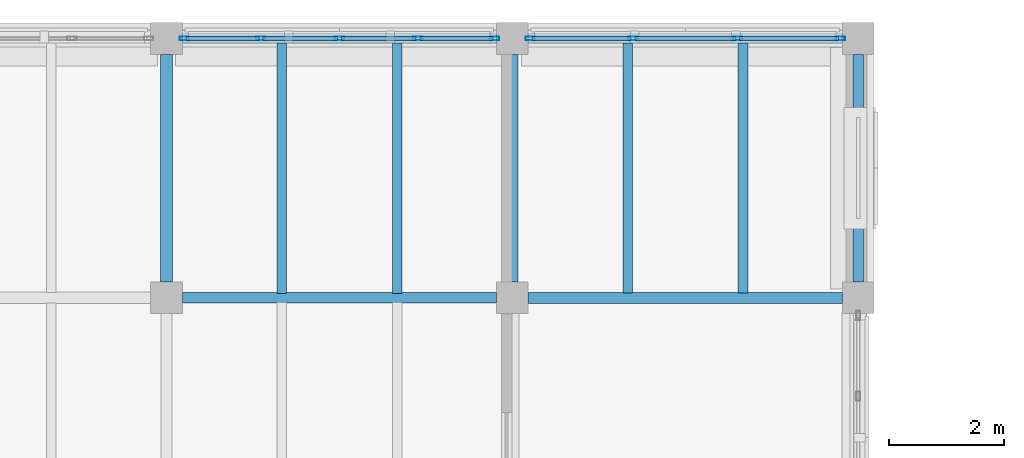
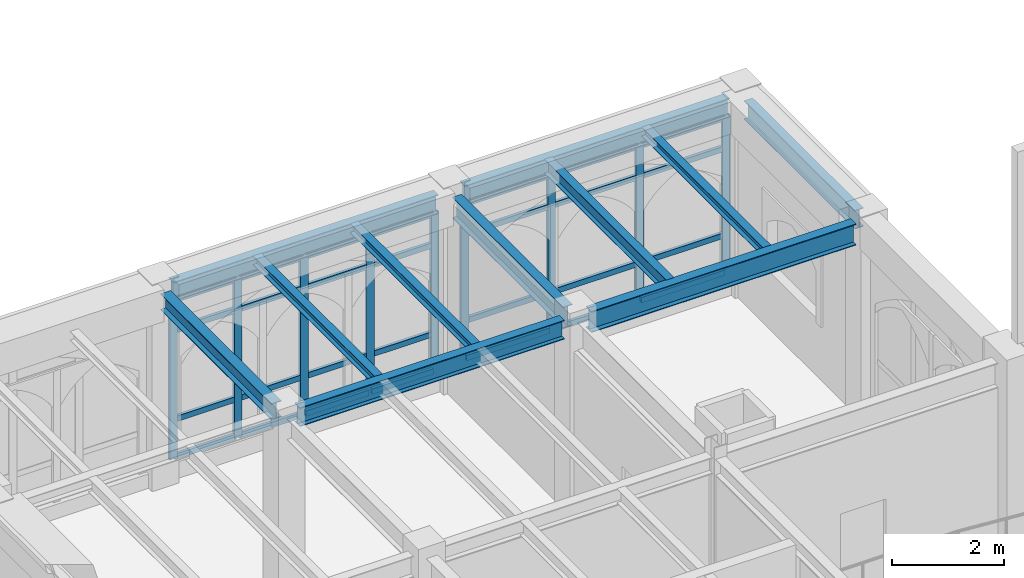
# One storey, part 31 of 108: 37 members, 11 beams, 2 elements without a shape of their own.
"""IFC4 building model written with IfcOpenShell, lengths in metres."""

from ifc_helpers import new_model, si_unit, direction, frame, origin, origin_2d, place, context, subcontext, project, spatial, hollow_rectangle, i_section, extrude, material, layer, layer_set, material_profile, profile_set, type_object, element, aggregate, save


model = new_model("IFC4")

# Units and contexts
model_context = context("Model", 3, precision=1e-05, world=origin(), true_north=direction((0.0, 1.0)))
body_context = subcontext(model_context, "Body", "Model", "MODEL_VIEW")
ifc_project = project(units=[si_unit("LENGTHUNIT", "METRE"), si_unit("AREAUNIT", "SQUARE_METRE"), si_unit("VOLUMEUNIT", "CUBIC_METRE"), si_unit("PLANEANGLEUNIT", "RADIAN"), si_unit("MASSUNIT", "GRAM", prefix="KILO")], contexts=[model_context])

# Site, building, storey
site_placement = place(None, origin())
site = spatial("IfcSite", under=ifc_project, at=site_placement, CompositionType="ELEMENT")
building_placement = place(site_placement, origin())
building = spatial("IfcBuilding", under=site, at=building_placement, Name="Cumevento Cable Car Station", CompositionType="ELEMENT")
storey_placement = place(building_placement, frame((0.0, 0.0, 13.5)))
storey = spatial("IfcBuildingStorey", under=building, at=storey_placement, Name="L04", CompositionType="ELEMENT", Elevation=13.5)

# Curtain wall, members
ifc_material_1 = material(Name="Anodised Bronze Aluminium AW-6063-T6", Category="aluminium")
ifc_layer_1 = layer(ifc_material_1, 0.23193359375)
ifc_layer_set_1 = layer_set([ifc_layer_1], Name="Anodised Bronze Aluminium AW-6063-T6")
curtain_wall_type_1 = type_object("IfcCurtainWallType", Name="Lancet Curtain Wall CW-13 1530", PredefinedType="NOTDEFINED", material=ifc_layer_set_1)
curtain_wall_1_placement = place(storey_placement, origin())
curtain_wall_1 = element("IfcCurtainWall", 1, at=curtain_wall_1_placement, inside=storey, type_object=curtain_wall_type_1, Name="Lancet Curtain Wall CW-13 L04 #172", PredefinedType="NOTDEFINED")
ifc_material_2 = material(Name="Anodised Bronze Aluminium AW-6063-T6", Category="aluminium")
ifc_material_profile_1 = material_profile(ifc_material_2, hollow_rectangle(XDim=0.06494140625, YDim=0.159912109375, WallThickness=0.00390625, at=origin_2d()), Name="ALUM65x160x4")
ifc_profile_set_1 = profile_set([ifc_material_profile_1], Name="Anodised Bronze Aluminium AW-6063-T6")
member_type_1 = type_object("IfcMemberType", Name="Curtain Mullion CWM-01 ALUM65x160x4", PredefinedType="MULLION", material=ifc_profile_set_1)
member_1_placement = place(storey_placement, frame((58.3076171875, 66.0, 0.360107421875), z_axis=(0.0, 0.0, 1.0), x_axis=(0.0, 1.0, 0.0)))
member_1 = element("IfcMember", 2, at=member_1_placement, type_object=member_type_1, Name="CW-13 mullion 1", PredefinedType="MULLION", context=body_context, shape_type="SweptSolid", body=[
    extrude(hollow_rectangle(XDim=0.06494140625, YDim=0.159912109375, WallThickness=0.00390625, at=origin_2d()), origin(), (0.0, 0.0, 1.0), 3.48291015625),
])
member_2_placement = place(storey_placement, frame((59.637451171875, 66.0, 0.360107421875), z_axis=(0.0, 0.0, 1.0), x_axis=(0.0, 1.0, 0.0)))
member_2 = element("IfcMember", 3, at=member_2_placement, type_object=member_type_1, Name="CW-13 mullion 2", PredefinedType="MULLION", context=body_context, shape_type="SweptSolid", body=[
    extrude(hollow_rectangle(XDim=0.06494140625, YDim=0.159912109375, WallThickness=0.00390625, at=origin_2d()), origin(), (0.0, 0.0, 1.0), 3.48291015625),
])
member_3_placement = place(storey_placement, frame((61.0, 66.0, 0.360107421875), z_axis=(0.0, 0.0, 1.0), x_axis=(0.0, 1.0, 0.0)))
member_3 = element("IfcMember", 4, at=member_3_placement, type_object=member_type_1, Name="CW-13 mullion 3", PredefinedType="MULLION", context=body_context, shape_type="SweptSolid", body=[
    extrude(hollow_rectangle(XDim=0.06494140625, YDim=0.159912109375, WallThickness=0.00390625, at=origin_2d()), origin(), (0.0, 0.0, 1.0), 3.48291015625),
])
member_4_placement = place(storey_placement, frame((62.362548828125, 66.0, 0.360107421875), z_axis=(0.0, 0.0, 1.0), x_axis=(0.0, 1.0, 0.0)))
member_4 = element("IfcMember", 5, at=member_4_placement, type_object=member_type_1, Name="CW-13 mullion 4", PredefinedType="MULLION", context=body_context, shape_type="SweptSolid", body=[
    extrude(hollow_rectangle(XDim=0.06494140625, YDim=0.159912109375, WallThickness=0.00390625, at=origin_2d()), origin(), (0.0, 0.0, 1.0), 3.48291015625),
])
member_5_placement = place(storey_placement, frame((63.6923828125, 66.0, 0.360107421875), z_axis=(0.0, 0.0, 1.0), x_axis=(0.0, 1.0, 0.0)))
member_5 = element("IfcMember", 6, at=member_5_placement, type_object=member_type_1, Name="CW-13 mullion 5", PredefinedType="MULLION", context=body_context, shape_type="SweptSolid", body=[
    extrude(hollow_rectangle(XDim=0.06494140625, YDim=0.159912109375, WallThickness=0.00390625, at=origin_2d()), origin(), (0.0, 0.0, 1.0), 3.48291015625),
])

ifc_material_3 = material(Name="Anodised Bronze Aluminium AW-6063-T6", Category="aluminium")
ifc_layer_2 = layer(ifc_material_3, 0.238037109375)
ifc_layer_set_2 = layer_set([ifc_layer_2], Name="Anodised Bronze Aluminium AW-6063-T6")
curtain_wall_type_2 = type_object("IfcCurtainWallType", Name="Lancet Curtain Wall CW-14 1570", PredefinedType="NOTDEFINED", material=ifc_layer_set_2)
curtain_wall_2_placement = place(storey_placement, origin())
curtain_wall_2 = element("IfcCurtainWall", 7, at=curtain_wall_2_placement, inside=storey, type_object=curtain_wall_type_2, Name="Lancet Curtain Wall CW-14 L04 #173", PredefinedType="NOTDEFINED")
member_6_placement = place(storey_placement, frame((64.3076171875, 66.0, 0.409912109375), z_axis=(0.0, 0.0, 1.0), x_axis=(0.0, 1.0, 0.0)))
member_6 = element("IfcMember", 8, at=member_6_placement, type_object=member_type_1, Name="CW-14 mullion 1", PredefinedType="MULLION", context=body_context, shape_type="SweptSolid", body=[
    extrude(hollow_rectangle(XDim=0.06494140625, YDim=0.159912109375, WallThickness=0.00390625, at=origin_2d()), origin(), (0.0, 0.0, 1.0), 3.43310546875),
])
member_7_placement = place(storey_placement, frame((66.091552734375, 66.0, 0.409912109375), z_axis=(0.0, 0.0, 1.0), x_axis=(0.0, 1.0, 0.0)))
member_7 = element("IfcMember", 9, at=member_7_placement, type_object=member_type_1, Name="CW-14 mullion 2", PredefinedType="MULLION", context=body_context, shape_type="SweptSolid", body=[
    extrude(hollow_rectangle(XDim=0.06494140625, YDim=0.159912109375, WallThickness=0.00390625, at=origin_2d()), origin(), (0.0, 0.0, 1.0), 3.43310546875),
])
member_8_placement = place(storey_placement, frame((67.908447265625, 66.0, 0.409912109375), z_axis=(0.0, 0.0, 1.0), x_axis=(0.0, 1.0, 0.0)))
member_8 = element("IfcMember", 10, at=member_8_placement, type_object=member_type_1, Name="CW-14 mullion 3", PredefinedType="MULLION", context=body_context, shape_type="SweptSolid", body=[
    extrude(hollow_rectangle(XDim=0.06494140625, YDim=0.159912109375, WallThickness=0.00390625, at=origin_2d()), origin(), (0.0, 0.0, 1.0), 3.43310546875),
])
member_9_placement = place(storey_placement, frame((69.6923828125, 66.0, 0.409912109375), z_axis=(0.0, 0.0, 1.0), x_axis=(0.0, 1.0, 0.0)))
member_9 = element("IfcMember", 11, at=member_9_placement, type_object=member_type_1, Name="CW-14 mullion 4", PredefinedType="MULLION", context=body_context, shape_type="SweptSolid", body=[
    extrude(hollow_rectangle(XDim=0.06494140625, YDim=0.159912109375, WallThickness=0.00390625, at=origin_2d()), origin(), (0.0, 0.0, 1.0), 3.43310546875),
])

# Member
ifc_material_4 = material(Name="Anodised Bronze Aluminium AW-6063-T6", Category="aluminium")
ifc_material_profile_2 = material_profile(ifc_material_4, hollow_rectangle(XDim=0.06494140625, YDim=0.1201171875, WallThickness=0.00390625, at=origin_2d()), Name="ALUT65x120x4")
ifc_profile_set_2 = profile_set([ifc_material_profile_2], Name="Anodised Bronze Aluminium AW-6063-T6")
member_type_2 = type_object("IfcMemberType", Name="Curtain Transom CWT-01 ALUT65x120x4", PredefinedType="USERDEFINED", material=ifc_profile_set_2)
member_10_placement = place(storey_placement, frame((58.340087890625, 66.0, 0.392578125), z_axis=(1.0, 0.0, 0.0), x_axis=(0.0, 1.0, 0.0)))
member_10 = element("IfcMember", 12, at=member_10_placement, type_object=member_type_2, Name="CW-13 transom 1.1", ObjectType="TRANSOM", PredefinedType="USERDEFINED", context=body_context, shape_type="SweptSolid", body=[
    extrude(hollow_rectangle(XDim=0.06494140625, YDim=0.1201171875, WallThickness=0.00390625, at=origin_2d()), origin(), (0.0, 0.0, 1.0), 1.264892578125),
])

member_11_placement = place(storey_placement, frame((58.340087890625, 66.0, 1.2099609375), z_axis=(1.0, 0.0, 0.0), x_axis=(0.0, 1.0, 0.0)))
member_11 = element("IfcMember", 13, at=member_11_placement, type_object=member_type_2, Name="CW-13 transom 1.2", ObjectType="TRANSOM", PredefinedType="USERDEFINED", context=body_context, shape_type="SweptSolid", body=[
    extrude(hollow_rectangle(XDim=0.06494140625, YDim=0.1201171875, WallThickness=0.00390625, at=origin_2d()), origin(), (0.0, 0.0, 1.0), 1.264892578125),
])

member_12_placement = place(storey_placement, frame((58.340087890625, 66.0, 3.14306640625), z_axis=(1.0, 0.0, 0.0), x_axis=(0.0, 1.0, 0.0)))
member_12 = element("IfcMember", 14, at=member_12_placement, type_object=member_type_2, Name="CW-13 transom 1.3", ObjectType="TRANSOM", PredefinedType="USERDEFINED", context=body_context, shape_type="SweptSolid", body=[
    extrude(hollow_rectangle(XDim=0.06494140625, YDim=0.1201171875, WallThickness=0.00390625, at=origin_2d()), origin(), (0.0, 0.0, 1.0), 1.264892578125),
])

member_13_placement = place(storey_placement, frame((58.340087890625, 66.0, 3.810546875), z_axis=(1.0, 0.0, 0.0), x_axis=(0.0, 1.0, 0.0)))
member_13 = element("IfcMember", 15, at=member_13_placement, type_object=member_type_2, Name="CW-13 transom 1.4", ObjectType="TRANSOM", PredefinedType="USERDEFINED", context=body_context, shape_type="SweptSolid", body=[
    extrude(hollow_rectangle(XDim=0.06494140625, YDim=0.1201171875, WallThickness=0.00390625, at=origin_2d()), origin(), (0.0, 0.0, 1.0), 1.264892578125),
])

member_14_placement = place(storey_placement, frame((59.669921875, 66.0, 0.392578125), z_axis=(1.0, 0.0, 0.0), x_axis=(0.0, 1.0, 0.0)))
member_14 = element("IfcMember", 16, at=member_14_placement, type_object=member_type_2, Name="CW-13 transom 2.1", ObjectType="TRANSOM", PredefinedType="USERDEFINED", context=body_context, shape_type="SweptSolid", body=[
    extrude(hollow_rectangle(XDim=0.06494140625, YDim=0.1201171875, WallThickness=0.00390625, at=origin_2d()), origin(), (0.0, 0.0, 1.0), 1.297607421875),
])

member_15_placement = place(storey_placement, frame((59.669921875, 66.0, 1.2099609375), z_axis=(1.0, 0.0, 0.0), x_axis=(0.0, 1.0, 0.0)))
member_15 = element("IfcMember", 17, at=member_15_placement, type_object=member_type_2, Name="CW-13 transom 2.2", ObjectType="TRANSOM", PredefinedType="USERDEFINED", context=body_context, shape_type="SweptSolid", body=[
    extrude(hollow_rectangle(XDim=0.06494140625, YDim=0.1201171875, WallThickness=0.00390625, at=origin_2d()), origin(), (0.0, 0.0, 1.0), 1.297607421875),
])

member_16_placement = place(storey_placement, frame((59.669921875, 66.0, 3.14306640625), z_axis=(1.0, 0.0, 0.0), x_axis=(0.0, 1.0, 0.0)))
member_16 = element("IfcMember", 18, at=member_16_placement, type_object=member_type_2, Name="CW-13 transom 2.3", ObjectType="TRANSOM", PredefinedType="USERDEFINED", context=body_context, shape_type="SweptSolid", body=[
    extrude(hollow_rectangle(XDim=0.06494140625, YDim=0.1201171875, WallThickness=0.00390625, at=origin_2d()), origin(), (0.0, 0.0, 1.0), 1.297607421875),
])

member_17_placement = place(storey_placement, frame((59.669921875, 66.0, 3.810546875), z_axis=(1.0, 0.0, 0.0), x_axis=(0.0, 1.0, 0.0)))
member_17 = element("IfcMember", 19, at=member_17_placement, type_object=member_type_2, Name="CW-13 transom 2.4", ObjectType="TRANSOM", PredefinedType="USERDEFINED", context=body_context, shape_type="SweptSolid", body=[
    extrude(hollow_rectangle(XDim=0.06494140625, YDim=0.1201171875, WallThickness=0.00390625, at=origin_2d()), origin(), (0.0, 0.0, 1.0), 1.297607421875),
])

member_18_placement = place(storey_placement, frame((61.032470703125, 66.0, 0.392578125), z_axis=(1.0, 0.0, 0.0), x_axis=(0.0, 1.0, 0.0)))
member_18 = element("IfcMember", 20, at=member_18_placement, type_object=member_type_2, Name="CW-13 transom 3.1", ObjectType="TRANSOM", PredefinedType="USERDEFINED", context=body_context, shape_type="SweptSolid", body=[
    extrude(hollow_rectangle(XDim=0.06494140625, YDim=0.1201171875, WallThickness=0.00390625, at=origin_2d()), origin(), (0.0, 0.0, 1.0), 1.297607421875),
])

member_19_placement = place(storey_placement, frame((61.032470703125, 66.0, 1.2099609375), z_axis=(1.0, 0.0, 0.0), x_axis=(0.0, 1.0, 0.0)))
member_19 = element("IfcMember", 21, at=member_19_placement, type_object=member_type_2, Name="CW-13 transom 3.2", ObjectType="TRANSOM", PredefinedType="USERDEFINED", context=body_context, shape_type="SweptSolid", body=[
    extrude(hollow_rectangle(XDim=0.06494140625, YDim=0.1201171875, WallThickness=0.00390625, at=origin_2d()), origin(), (0.0, 0.0, 1.0), 1.297607421875),
])

member_20_placement = place(storey_placement, frame((61.032470703125, 66.0, 3.14306640625), z_axis=(1.0, 0.0, 0.0), x_axis=(0.0, 1.0, 0.0)))
member_20 = element("IfcMember", 22, at=member_20_placement, type_object=member_type_2, Name="CW-13 transom 3.3", ObjectType="TRANSOM", PredefinedType="USERDEFINED", context=body_context, shape_type="SweptSolid", body=[
    extrude(hollow_rectangle(XDim=0.06494140625, YDim=0.1201171875, WallThickness=0.00390625, at=origin_2d()), origin(), (0.0, 0.0, 1.0), 1.297607421875),
])

member_21_placement = place(storey_placement, frame((61.032470703125, 66.0, 3.810546875), z_axis=(1.0, 0.0, 0.0), x_axis=(0.0, 1.0, 0.0)))
member_21 = element("IfcMember", 23, at=member_21_placement, type_object=member_type_2, Name="CW-13 transom 3.4", ObjectType="TRANSOM", PredefinedType="USERDEFINED", context=body_context, shape_type="SweptSolid", body=[
    extrude(hollow_rectangle(XDim=0.06494140625, YDim=0.1201171875, WallThickness=0.00390625, at=origin_2d()), origin(), (0.0, 0.0, 1.0), 1.297607421875),
])

member_22_placement = place(storey_placement, frame((62.39501953125, 66.0, 0.392578125), z_axis=(1.0, 0.0, 0.0), x_axis=(0.0, 1.0, 0.0)))
member_22 = element("IfcMember", 24, at=member_22_placement, type_object=member_type_2, Name="CW-13 transom 4.1", ObjectType="TRANSOM", PredefinedType="USERDEFINED", context=body_context, shape_type="SweptSolid", body=[
    extrude(hollow_rectangle(XDim=0.06494140625, YDim=0.1201171875, WallThickness=0.00390625, at=origin_2d()), origin(), (0.0, 0.0, 1.0), 1.264892578125),
])

member_23_placement = place(storey_placement, frame((62.39501953125, 66.0, 1.2099609375), z_axis=(1.0, 0.0, 0.0), x_axis=(0.0, 1.0, 0.0)))
member_23 = element("IfcMember", 25, at=member_23_placement, type_object=member_type_2, Name="CW-13 transom 4.2", ObjectType="TRANSOM", PredefinedType="USERDEFINED", context=body_context, shape_type="SweptSolid", body=[
    extrude(hollow_rectangle(XDim=0.06494140625, YDim=0.1201171875, WallThickness=0.00390625, at=origin_2d()), origin(), (0.0, 0.0, 1.0), 1.264892578125),
])

member_24_placement = place(storey_placement, frame((62.39501953125, 66.0, 3.14306640625), z_axis=(1.0, 0.0, 0.0), x_axis=(0.0, 1.0, 0.0)))
member_24 = element("IfcMember", 26, at=member_24_placement, type_object=member_type_2, Name="CW-13 transom 4.3", ObjectType="TRANSOM", PredefinedType="USERDEFINED", context=body_context, shape_type="SweptSolid", body=[
    extrude(hollow_rectangle(XDim=0.06494140625, YDim=0.1201171875, WallThickness=0.00390625, at=origin_2d()), origin(), (0.0, 0.0, 1.0), 1.264892578125),
])

member_25_placement = place(storey_placement, frame((62.39501953125, 66.0, 3.810546875), z_axis=(1.0, 0.0, 0.0), x_axis=(0.0, 1.0, 0.0)))
member_25 = element("IfcMember", 27, at=member_25_placement, type_object=member_type_2, Name="CW-13 transom 4.4", ObjectType="TRANSOM", PredefinedType="USERDEFINED", context=body_context, shape_type="SweptSolid", body=[
    extrude(hollow_rectangle(XDim=0.06494140625, YDim=0.1201171875, WallThickness=0.00390625, at=origin_2d()), origin(), (0.0, 0.0, 1.0), 1.264892578125),
])

aggregate(curtain_wall_1, [member_1, member_2, member_3, member_4, member_5, member_10, member_11, member_12, member_13, member_14, member_15, member_16, member_17, member_18, member_19, member_20, member_21, member_22, member_23, member_24, member_25])

member_26_placement = place(storey_placement, frame((64.340087890625, 66.0, 0.4423828125), z_axis=(1.0, 0.0, 0.0), x_axis=(0.0, 1.0, 0.0)))
member_26 = element("IfcMember", 28, at=member_26_placement, type_object=member_type_2, Name="CW-14 transom 1.1", ObjectType="TRANSOM", PredefinedType="USERDEFINED", context=body_context, shape_type="SweptSolid", body=[
    extrude(hollow_rectangle(XDim=0.06494140625, YDim=0.1201171875, WallThickness=0.00390625, at=origin_2d()), origin(), (0.0, 0.0, 1.0), 1.718994140625),
])

member_27_placement = place(storey_placement, frame((64.340087890625, 66.0, 1.260009765625), z_axis=(1.0, 0.0, 0.0), x_axis=(0.0, 1.0, 0.0)))
member_27 = element("IfcMember", 29, at=member_27_placement, type_object=member_type_2, Name="CW-14 transom 1.2", ObjectType="TRANSOM", PredefinedType="USERDEFINED", context=body_context, shape_type="SweptSolid", body=[
    extrude(hollow_rectangle(XDim=0.06494140625, YDim=0.1201171875, WallThickness=0.00390625, at=origin_2d()), origin(), (0.0, 0.0, 1.0), 1.718994140625),
])

member_28_placement = place(storey_placement, frame((64.340087890625, 66.0, 3.14306640625), z_axis=(1.0, 0.0, 0.0), x_axis=(0.0, 1.0, 0.0)))
member_28 = element("IfcMember", 30, at=member_28_placement, type_object=member_type_2, Name="CW-14 transom 1.3", ObjectType="TRANSOM", PredefinedType="USERDEFINED", context=body_context, shape_type="SweptSolid", body=[
    extrude(hollow_rectangle(XDim=0.06494140625, YDim=0.1201171875, WallThickness=0.00390625, at=origin_2d()), origin(), (0.0, 0.0, 1.0), 1.718994140625),
])

member_29_placement = place(storey_placement, frame((64.340087890625, 66.0, 3.810546875), z_axis=(1.0, 0.0, 0.0), x_axis=(0.0, 1.0, 0.0)))
member_29 = element("IfcMember", 31, at=member_29_placement, type_object=member_type_2, Name="CW-14 transom 1.4", ObjectType="TRANSOM", PredefinedType="USERDEFINED", context=body_context, shape_type="SweptSolid", body=[
    extrude(hollow_rectangle(XDim=0.06494140625, YDim=0.1201171875, WallThickness=0.00390625, at=origin_2d()), origin(), (0.0, 0.0, 1.0), 1.718994140625),
])

member_30_placement = place(storey_placement, frame((66.124267578125, 66.0, 0.4423828125), z_axis=(1.0, 0.0, 0.0), x_axis=(0.0, 1.0, 0.0)))
member_30 = element("IfcMember", 32, at=member_30_placement, type_object=member_type_2, Name="CW-14 transom 2.1", ObjectType="TRANSOM", PredefinedType="USERDEFINED", context=body_context, shape_type="SweptSolid", body=[
    extrude(hollow_rectangle(XDim=0.06494140625, YDim=0.1201171875, WallThickness=0.00390625, at=origin_2d()), origin(), (0.0, 0.0, 1.0), 1.75146484375),
])

member_31_placement = place(storey_placement, frame((66.124267578125, 66.0, 1.260009765625), z_axis=(1.0, 0.0, 0.0), x_axis=(0.0, 1.0, 0.0)))
member_31 = element("IfcMember", 33, at=member_31_placement, type_object=member_type_2, Name="CW-14 transom 2.2", ObjectType="TRANSOM", PredefinedType="USERDEFINED", context=body_context, shape_type="SweptSolid", body=[
    extrude(hollow_rectangle(XDim=0.06494140625, YDim=0.1201171875, WallThickness=0.00390625, at=origin_2d()), origin(), (0.0, 0.0, 1.0), 1.75146484375),
])

member_32_placement = place(storey_placement, frame((66.124267578125, 66.0, 3.14306640625), z_axis=(1.0, 0.0, 0.0), x_axis=(0.0, 1.0, 0.0)))
member_32 = element("IfcMember", 34, at=member_32_placement, type_object=member_type_2, Name="CW-14 transom 2.3", ObjectType="TRANSOM", PredefinedType="USERDEFINED", context=body_context, shape_type="SweptSolid", body=[
    extrude(hollow_rectangle(XDim=0.06494140625, YDim=0.1201171875, WallThickness=0.00390625, at=origin_2d()), origin(), (0.0, 0.0, 1.0), 1.75146484375),
])

member_33_placement = place(storey_placement, frame((66.124267578125, 66.0, 3.810546875), z_axis=(1.0, 0.0, 0.0), x_axis=(0.0, 1.0, 0.0)))
member_33 = element("IfcMember", 35, at=member_33_placement, type_object=member_type_2, Name="CW-14 transom 2.4", ObjectType="TRANSOM", PredefinedType="USERDEFINED", context=body_context, shape_type="SweptSolid", body=[
    extrude(hollow_rectangle(XDim=0.06494140625, YDim=0.1201171875, WallThickness=0.00390625, at=origin_2d()), origin(), (0.0, 0.0, 1.0), 1.75146484375),
])

member_34_placement = place(storey_placement, frame((67.94091796875, 66.0, 0.4423828125), z_axis=(1.0, 0.0, 0.0), x_axis=(0.0, 1.0, 0.0)))
member_34 = element("IfcMember", 36, at=member_34_placement, type_object=member_type_2, Name="CW-14 transom 3.1", ObjectType="TRANSOM", PredefinedType="USERDEFINED", context=body_context, shape_type="SweptSolid", body=[
    extrude(hollow_rectangle(XDim=0.06494140625, YDim=0.1201171875, WallThickness=0.00390625, at=origin_2d()), origin(), (0.0, 0.0, 1.0), 1.718994140625),
])

member_35_placement = place(storey_placement, frame((67.94091796875, 66.0, 1.260009765625), z_axis=(1.0, 0.0, 0.0), x_axis=(0.0, 1.0, 0.0)))
member_35 = element("IfcMember", 37, at=member_35_placement, type_object=member_type_2, Name="CW-14 transom 3.2", ObjectType="TRANSOM", PredefinedType="USERDEFINED", context=body_context, shape_type="SweptSolid", body=[
    extrude(hollow_rectangle(XDim=0.06494140625, YDim=0.1201171875, WallThickness=0.00390625, at=origin_2d()), origin(), (0.0, 0.0, 1.0), 1.718994140625),
])

member_36_placement = place(storey_placement, frame((67.94091796875, 66.0, 3.14306640625), z_axis=(1.0, 0.0, 0.0), x_axis=(0.0, 1.0, 0.0)))
member_36 = element("IfcMember", 38, at=member_36_placement, type_object=member_type_2, Name="CW-14 transom 3.3", ObjectType="TRANSOM", PredefinedType="USERDEFINED", context=body_context, shape_type="SweptSolid", body=[
    extrude(hollow_rectangle(XDim=0.06494140625, YDim=0.1201171875, WallThickness=0.00390625, at=origin_2d()), origin(), (0.0, 0.0, 1.0), 1.718994140625),
])

member_37_placement = place(storey_placement, frame((67.94091796875, 66.0, 3.810546875), z_axis=(1.0, 0.0, 0.0), x_axis=(0.0, 1.0, 0.0)))
member_37 = element("IfcMember", 39, at=member_37_placement, type_object=member_type_2, Name="CW-14 transom 3.4", ObjectType="TRANSOM", PredefinedType="USERDEFINED", context=body_context, shape_type="SweptSolid", body=[
    extrude(hollow_rectangle(XDim=0.06494140625, YDim=0.1201171875, WallThickness=0.00390625, at=origin_2d()), origin(), (0.0, 0.0, 1.0), 1.718994140625),
])

aggregate(curtain_wall_2, [member_6, member_7, member_8, member_9, member_26, member_27, member_28, member_29, member_30, member_31, member_32, member_33, member_34, member_35, member_36, member_37])

# Beams
ifc_material_5 = material(Name="Steel ASTM A572 Grade 50", Category="steel")
ifc_material_profile_3 = material_profile(ifc_material_5, i_section(OverallWidth=0.18994140625, OverallDepth=0.45703125, WebThickness=0.009033203125, FlangeThickness=0.014404296875, at=origin_2d()), Name="W460x74.0")
ifc_profile_set_3 = profile_set([ifc_material_profile_3], Name="Steel ASTM A572 Grade 50")
beam_type_1 = type_object("IfcBeamType", Name="Structural Beam BM-04 W460x74.0", PredefinedType="BEAM", material=ifc_profile_set_3)
beam_1_placement = place(storey_placement, frame((64.0, 61.77490234375, 4.021484375), z_axis=(0.0, 1.0, 0.0), x_axis=(-1.0, 0.0, 0.0)))
element("IfcBeam", 40, at=beam_1_placement, inside=storey, type_object=beam_type_1, Name="Beam BM-04 L04 #1448", PredefinedType="BEAM", context=body_context, shape_type="SweptSolid", body=[
    extrude(i_section(OverallWidth=0.18994140625, OverallDepth=0.45703125, WebThickness=0.009033203125, FlangeThickness=0.014404296875, at=origin_2d()), origin(), (0.0, 0.0, 1.0), 3.9501953125),
])
ifc_material_6 = material(Name="Steel ASTM A572 Grade 50", Category="steel")
ifc_material_profile_4 = material_profile(ifc_material_6, i_section(OverallWidth=0.205078125, OverallDepth=0.35400390625, WebThickness=0.009521484375, FlangeThickness=0.016845703125, at=origin_2d()), Name="W360x79.0")
ifc_profile_set_4 = profile_set([ifc_material_profile_4], Name="Steel ASTM A572 Grade 50")
beam_type_2 = type_object("IfcBeamType", Name="Structural Beam BM-05 W360x79.0", PredefinedType="BEAM", material=ifc_profile_set_4)
beam_2_placement = place(storey_placement, frame((58.0, 61.77490234375, 4.072998046875), z_axis=(0.0, 1.0, 0.0), x_axis=(-1.0, 0.0, 0.0)))
element("IfcBeam", 41, at=beam_2_placement, inside=storey, type_object=beam_type_2, Name="Beam BM-05 L04 #1446", PredefinedType="BEAM", context=body_context, shape_type="SweptSolid", body=[
    extrude(i_section(OverallWidth=0.205078125, OverallDepth=0.35400390625, WebThickness=0.009521484375, FlangeThickness=0.016845703125, at=origin_2d()), origin(), (0.0, 0.0, 1.0), 3.9501953125),
])
ifc_material_7 = material(Name="Steel ASTM A572 Grade 50", Category="steel")
ifc_material_profile_5 = material_profile(ifc_material_7, i_section(OverallWidth=0.179931640625, OverallDepth=0.4130859375, WebThickness=0.009765625, FlangeThickness=0.01611328125, at=origin_2d()), Name="W410x74.0")
ifc_profile_set_5 = profile_set([ifc_material_profile_5], Name="Steel ASTM A572 Grade 50")
beam_type_3 = type_object("IfcBeamType", Name="Structural Beam BM-09 W410x74.0", PredefinedType="BEAM", material=ifc_profile_set_5)
beam_3_placement = place(storey_placement, frame((58.27490234375, 61.5, 4.04345703125), z_axis=(1.0, 0.0, 0.0), x_axis=(0.0, 1.0, 0.0)))
element("IfcBeam", 42, at=beam_3_placement, inside=storey, type_object=beam_type_3, Name="Beam BM-09 L04 #1438", PredefinedType="BEAM", context=body_context, shape_type="SweptSolid", body=[
    extrude(i_section(OverallWidth=0.179931640625, OverallDepth=0.4130859375, WebThickness=0.009765625, FlangeThickness=0.01611328125, at=origin_2d()), origin(), (0.0, 0.0, 1.0), 5.4501953125),
])
ifc_material_8 = material(Name="Steel ASTM A572 Grade 50", Category="steel")
ifc_material_profile_6 = material_profile(ifc_material_8, i_section(OverallWidth=0.19189453125, OverallDepth=0.462890625, WebThickness=0.010498046875, FlangeThickness=0.017578125, at=origin_2d()), Name="W460x89.0")
ifc_profile_set_6 = profile_set([ifc_material_profile_6], Name="Steel ASTM A572 Grade 50")
beam_type_4 = type_object("IfcBeamType", Name="Structural Beam BM-10 W460x89.0", PredefinedType="BEAM", material=ifc_profile_set_6)
beam_4_placement = place(storey_placement, frame((64.27490234375, 61.5, 4.0185546875), z_axis=(1.0, 0.0, 0.0), x_axis=(0.0, 1.0, 0.0)))
element("IfcBeam", 43, at=beam_4_placement, inside=storey, type_object=beam_type_4, Name="Beam BM-10 L04 #1439", PredefinedType="BEAM", context=body_context, shape_type="SweptSolid", body=[
    extrude(i_section(OverallWidth=0.19189453125, OverallDepth=0.462890625, WebThickness=0.010498046875, FlangeThickness=0.017578125, at=origin_2d()), origin(), (0.0, 0.0, 1.0), 5.4501953125),
])
ifc_material_9 = material(Name="Steel ASTM A572 Grade 50", Category="steel")
ifc_material_profile_7 = material_profile(ifc_material_9, i_section(OverallWidth=0.1650390625, OverallDepth=0.31005859375, WebThickness=0.005859375, FlangeThickness=0.009765625, at=origin_2d()), Name="W310x38.7")
ifc_profile_set_7 = profile_set([ifc_material_profile_7], Name="Steel ASTM A572 Grade 50")
beam_type_5 = type_object("IfcBeamType", Name="Structural Joist JS-03 W310x38.7", PredefinedType="JOIST", material=ifc_profile_set_7)
beam_5_placement = place(storey_placement, frame((66.0, 61.583984375, 4.094970703125), z_axis=(0.0, 1.0, 0.0), x_axis=(-1.0, 0.0, 0.0)))
element("IfcBeam", 44, at=beam_5_placement, inside=storey, type_object=beam_type_5, Name="Composite Floor Joist JS-03 L04 #1553", PredefinedType="JOIST", context=body_context, shape_type="SweptSolid", body=[
    extrude(i_section(OverallWidth=0.1650390625, OverallDepth=0.31005859375, WebThickness=0.005859375, FlangeThickness=0.009765625, at=origin_2d()), origin(), (0.0, 0.0, 1.0), 4.339111328125),
])
ifc_material_10 = material(Name="Steel ASTM A572 Grade 50", Category="steel")
ifc_material_profile_8 = material_profile(ifc_material_10, i_section(OverallWidth=0.1650390625, OverallDepth=0.200927734375, WebThickness=0.006103515625, FlangeThickness=0.01025390625, at=origin_2d()), Name="W200x35.9")
ifc_profile_set_8 = profile_set([ifc_material_profile_8], Name="Steel ASTM A572 Grade 50")
beam_type_6 = type_object("IfcBeamType", Name="Structural Joist JS-04 W200x35.9", PredefinedType="JOIST", material=ifc_profile_set_8)
for number, where, z_axis, x_axis, name in (
    (45, (60.0, 61.577880859375, 4.1494140625), (0.0, 1.0, 0.0), (-1.0, 0.0, 0.0), "Composite Floor Joist JS-04 L04 #1550"),
    (46, (62.0, 61.577880859375, 4.1494140625), (0.0, 1.0, 0.0), (-1.0, 0.0, 0.0), "Composite Floor Joist JS-04 L04 #1552"),
):
    element("IfcBeam", number, at=place(storey_placement, frame(where, z_axis=z_axis, x_axis=x_axis)), inside=storey, type_object=beam_type_6, Name=name, PredefinedType="JOIST", context=body_context, shape_type="SweptSolid", body=[
        extrude(i_section(OverallWidth=0.1650390625, OverallDepth=0.200927734375, WebThickness=0.006103515625, FlangeThickness=0.01025390625, at=origin_2d()), origin(), (0.0, 0.0, 1.0), 4.34521484375),
    ])
beam_6_placement = place(storey_placement, frame((68.0, 61.583984375, 4.1494140625), z_axis=(0.0, 1.0, 0.0), x_axis=(-1.0, 0.0, 0.0)))
element("IfcBeam", 47, at=beam_6_placement, inside=storey, type_object=beam_type_6, Name="Composite Floor Joist JS-04 L04 #1554", PredefinedType="JOIST", context=body_context, shape_type="SweptSolid", body=[
    extrude(i_section(OverallWidth=0.1650390625, OverallDepth=0.200927734375, WebThickness=0.006103515625, FlangeThickness=0.01025390625, at=origin_2d()), origin(), (0.0, 0.0, 1.0), 4.339111328125),
])
ifc_material_11 = material(Name="Steel ASTM A572 Grade 50", Category="steel")
ifc_material_profile_9 = material_profile(ifc_material_11, i_section(OverallWidth=0.177978515625, OverallDepth=0.406982421875, WebThickness=0.0078125, FlangeThickness=0.0126953125, at=origin_2d()), Name="W410x60.0")
ifc_profile_set_9 = profile_set([ifc_material_profile_9], Name="Steel ASTM A572 Grade 50")
beam_type_7 = type_object("IfcBeamType", Name="Structural Spandrel SP-01 W410x60.0", PredefinedType="SPANDREL", material=ifc_profile_set_9)
for number, where, z_axis, x_axis, name in (
    (48, (58.27490234375, 66.0, 4.04638671875), (1.0, 0.0, 0.0), (0.0, 1.0, 0.0), "Beam SP-01 L04 #1441"),
    (49, (64.27490234375, 66.0, 4.04638671875), (1.0, 0.0, 0.0), (0.0, 1.0, 0.0), "Beam SP-01 L04 #1442"),
):
    element("IfcBeam", number, at=place(storey_placement, frame(where, z_axis=z_axis, x_axis=x_axis)), inside=storey, type_object=beam_type_7, Name=name, PredefinedType="SPANDREL", context=body_context, shape_type="SweptSolid", body=[
        extrude(i_section(OverallWidth=0.177978515625, OverallDepth=0.406982421875, WebThickness=0.0078125, FlangeThickness=0.0126953125, at=origin_2d()), origin(), (0.0, 0.0, 1.0), 5.4501953125),
    ])
beam_7_placement = place(storey_placement, frame((70.0, 61.77490234375, 4.04638671875), z_axis=(0.0, 1.0, 0.0), x_axis=(-1.0, 0.0, 0.0)))
element("IfcBeam", 50, at=beam_7_placement, inside=storey, type_object=beam_type_7, Name="Beam SP-01 L04 #1450", PredefinedType="SPANDREL", context=body_context, shape_type="SweptSolid", body=[
    extrude(i_section(OverallWidth=0.177978515625, OverallDepth=0.406982421875, WebThickness=0.0078125, FlangeThickness=0.0126953125, at=origin_2d()), origin(), (0.0, 0.0, 1.0), 3.9501953125),
])

save(model, "model.ifc")
